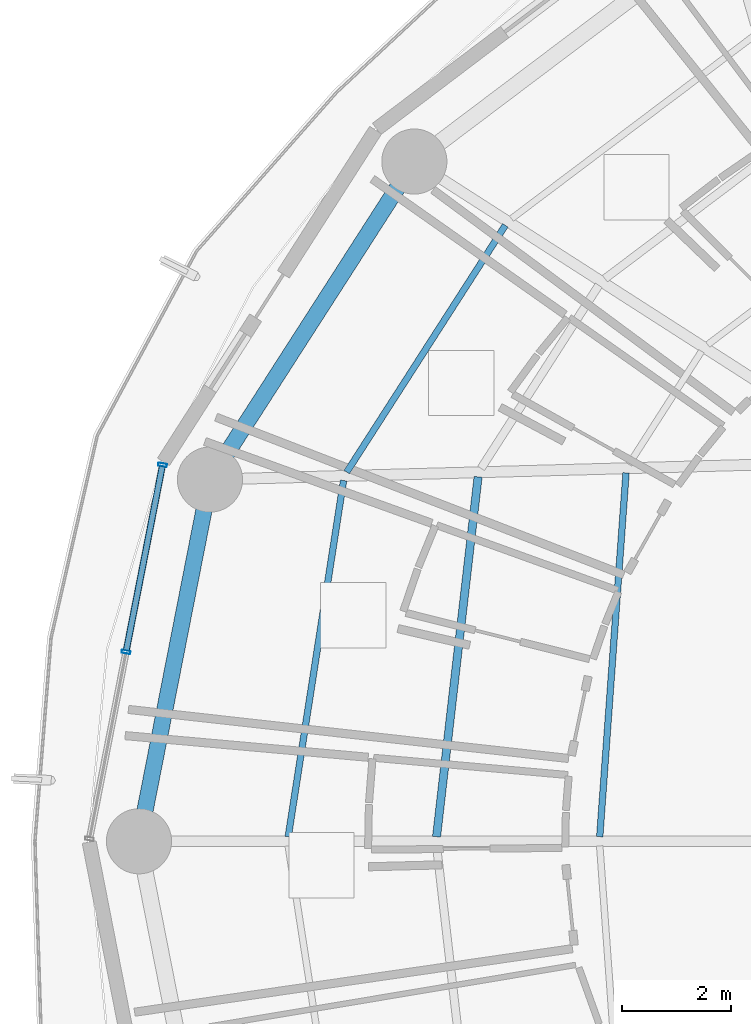
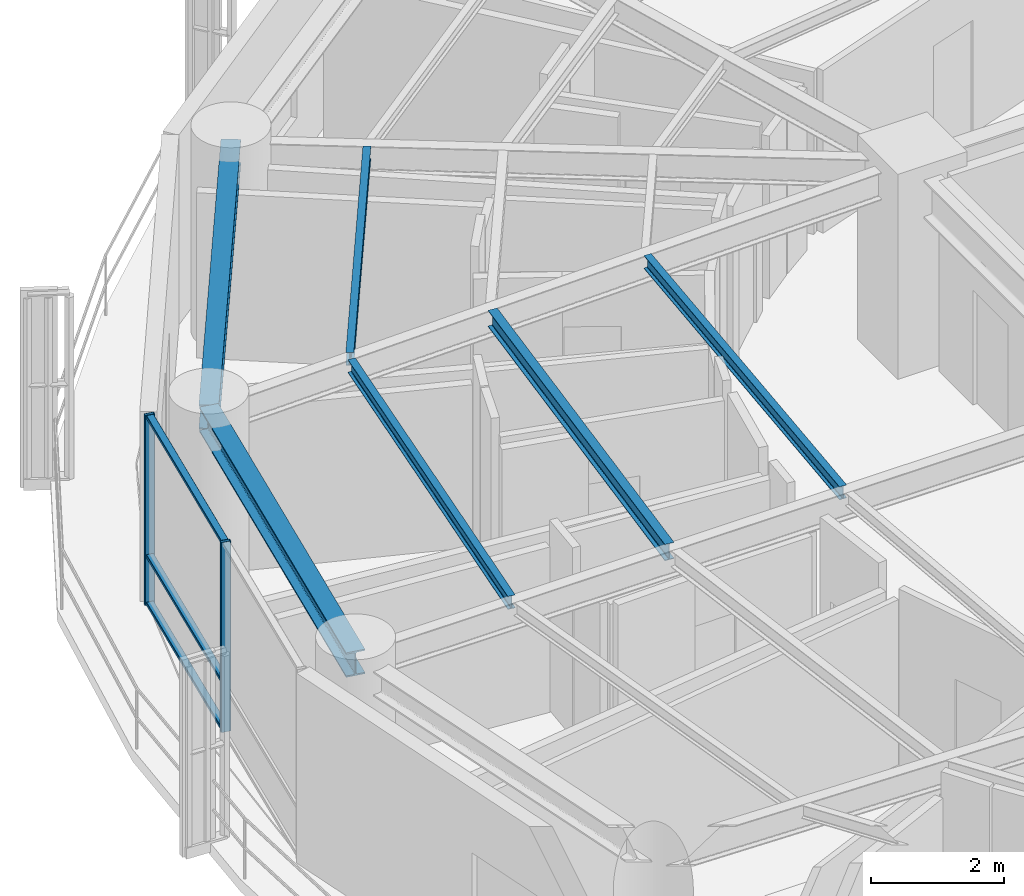
# One storey, part 8 of 27: 6 beams, 5 members, 1 element without a shape of its own.
"""IFC4 building model written with IfcOpenShell, lengths in metres."""

import ifcopenshell
import ifcopenshell.guid

model = None  # the IFC model being written
_history = None  # IfcOwnerHistory: only IFC2X3 demands one
_inside = {}  # id of a spatial element -> (the spatial element, [elements in it])
_under = {}  # id of a project, library or spatial element -> (it, [spatial elements below it])
_declared = {}  # id of a project -> (the project, [libraries it declares])
_typed = {}  # id of a type object -> (the type object, [elements of that type])
_made_of = {}  # id of a material, layer set ... -> (it, [elements and type objects made of it])


def new_model(schema):
    """Start an empty IFC model of exactly this schema.

    Asked for "IFC4X3", IfcOpenShell would pick the latest addendum, in which some entities
    have other attributes; the version numbers below select the first issue.
    IFC2X3 requires an IfcOwnerHistory on every rooted entity: one is made here for all.
    """
    global model, _history
    if schema == "IFC4X3":
        model = ifcopenshell.file(schema_version=(4, 3, 0, 0))
    else:
        model = ifcopenshell.file(schema=schema)
    _inside.clear()
    _under.clear()
    _declared.clear()
    _typed.clear()
    _made_of.clear()
    _history = None
    if model.schema == "IFC2X3":
        org = make("IfcOrganization", Name="unknown")
        user = make(
            "IfcPersonAndOrganization",
            ThePerson=make("IfcPerson", FamilyName="unknown"),
            TheOrganization=org,
        )
        app = make(
            "IfcApplication",
            ApplicationDeveloper=org,
            Version="unknown",
            ApplicationFullName="unknown",
            ApplicationIdentifier="unknown",
        )
        _history = make(
            "IfcOwnerHistory",
            OwningUser=user,
            OwningApplication=app,
            ChangeAction="ADDED",
            CreationDate=0,
        )
    return model


def make(cls, **values):
    """One entity of the class cls with the attributes given. An attribute that is None is left unset."""
    return model.create_entity(
        cls, **{name: value for name, value in values.items() if value is not None}
    )


def rooted(cls, **values):
    """An entity with a GlobalId (a new one), such as an element, a storey or a relation."""
    return make(cls, GlobalId=ifcopenshell.guid.new(), OwnerHistory=_history, **values)


def si_unit(unit_type, name, prefix=None):
    """IfcSIUnit, for example si_unit("LENGTHUNIT", "METRE", prefix="MILLI")."""
    return make("IfcSIUnit", UnitType=unit_type, Prefix=prefix, Name=name)


def assignment(units):
    """IfcUnitAssignment: the units of a project."""
    return None if units is None else make("IfcUnitAssignment", Units=units)


def point(xyz):
    """IfcCartesianPoint."""
    return None if xyz is None else make("IfcCartesianPoint", Coordinates=xyz)


def direction(xyz):
    """IfcDirection."""
    return None if xyz is None else make("IfcDirection", DirectionRatios=xyz)


def frame(location, z_axis=None, x_axis=None):
    """IfcAxis2Placement3D, a coordinate frame: its origin and axes. An axis left out is left unset."""
    return make(
        "IfcAxis2Placement3D",
        Location=point(location),
        Axis=direction(z_axis),
        RefDirection=direction(x_axis),
    )


def frame_2d(location, x_axis=None):
    """IfcAxis2Placement2D, a coordinate frame in the plane: its origin and x axis."""
    return make(
        "IfcAxis2Placement2D", Location=point(location), RefDirection=direction(x_axis)
    )


def origin():
    """The frame at (0, 0, 0) with its axes left unset."""
    return frame((0.0, 0.0, 0.0))


def origin_2d():
    """The frame at (0, 0) in the plane with its x axis left unset."""
    return frame_2d((0.0, 0.0))


def place(relative_to, where):
    """IfcLocalPlacement: puts the frame where relative to a parent placement (None: the world)."""
    return make(
        "IfcLocalPlacement", PlacementRelTo=relative_to, RelativePlacement=where
    )


def context(
    kind, dimensions, precision=None, world=None, true_north=None, identifier=None
):
    """IfcGeometricRepresentationContext, for example the 3D "Model" context."""
    return make(
        "IfcGeometricRepresentationContext",
        ContextIdentifier=identifier,
        ContextType=kind,
        CoordinateSpaceDimension=dimensions,
        Precision=precision,
        WorldCoordinateSystem=world,
        TrueNorth=true_north,
    )


def subcontext(parent, identifier, kind, view, scale=None):
    """IfcGeometricRepresentationSubContext, for example "Body" below "Model"."""
    return make(
        "IfcGeometricRepresentationSubContext",
        ContextIdentifier=identifier,
        ContextType=kind,
        ParentContext=parent,
        TargetScale=scale,
        TargetView=view,
    )


def project(units=None, contexts=None):
    """IfcProject with its units and contexts."""
    return rooted(
        "IfcProject",
        Name="project",
        RepresentationContexts=contexts,
        UnitsInContext=assignment(units),
    )


def spatial(cls, under=None, at=None, **own):
    """A site, building, storey or space (cls), placed at a placement, below another one or the project."""
    s = rooted(cls, ObjectPlacement=at, **own)
    if under is not None:
        _under.setdefault(under.id(), (under, []))[1].append(s)
    return s


def profile(cls, at=None, kind="AREA", **sizes):
    """A parametric profile (cls). Its sizes go by their IFC names, for example OverallWidth=200.0."""
    return make(cls, ProfileType=kind, Position=at, **sizes)


def hollow_rectangle(**sizes):
    """IfcRectangleHollowProfileDef."""
    return profile("IfcRectangleHollowProfileDef", **sizes)


def i_section(**sizes):
    """IfcIShapeProfileDef."""
    return profile("IfcIShapeProfileDef", **sizes)


def extrude(swept, where, along, depth):
    """IfcExtrudedAreaSolid: the profile swept, set in the frame where, extruded along a direction by depth."""
    return make(
        "IfcExtrudedAreaSolid",
        SweptArea=swept,
        Position=where,
        ExtrudedDirection=direction(along),
        Depth=depth,
    )


def shape(context_of_items, identifier, shape_type, items):
    """IfcShapeRepresentation: the items that make up one representation, for example the "Body"."""
    return make(
        "IfcShapeRepresentation",
        ContextOfItems=context_of_items,
        RepresentationIdentifier=identifier,
        RepresentationType=shape_type,
        Items=items,
    )


def material(Name=None, Category=None):
    """IfcMaterial."""
    return make("IfcMaterial", Name=Name, Category=Category)


def layer(
    of_material, thickness, ventilated=None, Name=None, Category=None, Priority=None
):
    """IfcMaterialLayer: one layer of a wall or slab, of a material (None: an air gap)."""
    return make(
        "IfcMaterialLayer",
        Material=of_material,
        LayerThickness=thickness,
        IsVentilated=ventilated,
        Name=Name,
        Category=Category,
        Priority=Priority,
    )


def layer_set(layers, Name=None):
    """IfcMaterialLayerSet."""
    return make("IfcMaterialLayerSet", MaterialLayers=layers, LayerSetName=Name)


def material_profile(
    of_material, cross_section, Name=None, Category=None, Priority=None
):
    """IfcMaterialProfile: a cross section and its material."""
    return make(
        "IfcMaterialProfile",
        Name=Name,
        Material=of_material,
        Profile=cross_section,
        Priority=Priority,
        Category=Category,
    )


def profile_set(profiles, Name=None, composite=None):
    """IfcMaterialProfileSet."""
    return make(
        "IfcMaterialProfileSet",
        Name=Name,
        MaterialProfiles=profiles,
        CompositeProfile=composite,
    )


def made_of(thing, what):
    """Note that an element or type object is made of a material, layer set ...; save() writes the relation."""
    if what is not None:
        _made_of.setdefault(what.id(), (what, []))[1].append(thing)
    return thing


def type_object(cls, material=None, **own):
    """A type object (cls), such as IfcWallType, which elements share."""
    return made_of(rooted(cls, **own), material)


def element(
    cls,
    number,
    at=None,
    inside=None,
    cuts=None,
    type_object=None,
    material=None,
    context=None,
    identifier="Body",
    shape_type=None,
    held_by="IfcProductDefinitionShape",
    body=None,
    shapes=None,
    **own,
):
    """One element of the class cls, such as IfcWall. Its Tag is "e" and its number.

    at: its placement. inside: the storey or other place that contains it. cuts: it is an
    opening in that element (IfcRelVoidsElement). A single representation is given by context,
    identifier, shape_type and body (its items); several are given by shapes. held_by: the class
    of the entity that holds the representations. save() writes the other relations.
    """
    e = rooted(cls, Tag="e%d" % number, ObjectPlacement=at, **own)
    if body is not None:
        shapes = [shape(context, identifier, shape_type, body)]
    if shapes is not None:
        e.Representation = make(held_by, Representations=shapes)
    if inside is not None:
        _inside.setdefault(inside.id(), (inside, []))[1].append(e)
    if cuts is not None:
        rooted(
            "IfcRelVoidsElement", RelatingBuildingElement=cuts, RelatedOpeningElement=e
        )
    if type_object is not None:
        _typed.setdefault(type_object.id(), (type_object, []))[1].append(e)
    return made_of(e, material)


def aggregate(whole, parts):
    """IfcRelAggregates: a whole, such as a stair, and the parts it consists of."""
    return rooted("IfcRelAggregates", RelatingObject=whole, RelatedObjects=parts)


def save(model, path):
    """Write the relations noted so far, then the file.

    IfcRelAggregates (storeys below a building ...), IfcRelContainedInSpatialStructure (elements
    in a storey), IfcRelDefinesByType, IfcRelAssociatesMaterial and IfcRelDeclares: one each for
    every whole, place, type object, material and project.
    """
    for whole, parts in _under.values():
        aggregate(whole, parts)
    for where, things in _inside.values():
        rooted(
            "IfcRelContainedInSpatialStructure",
            RelatedElements=things,
            RelatingStructure=where,
        )
    for kind, things in _typed.values():
        rooted("IfcRelDefinesByType", RelatedObjects=things, RelatingType=kind)
    for what, things in _made_of.values():
        rooted("IfcRelAssociatesMaterial", RelatedObjects=things, RelatingMaterial=what)
    for by, libraries in _declared.values():
        rooted("IfcRelDeclares", RelatingContext=by, RelatedDefinitions=libraries)
    model.write(path)


model = new_model("IFC4")

# Units and contexts
model_context = context("Model", 3, precision=1e-05, world=origin(), true_north=direction((0.0, 1.0)))
body_context = subcontext(model_context, "Body", "Model", "MODEL_VIEW")
ifc_project = project(units=[si_unit("LENGTHUNIT", "METRE"), si_unit("AREAUNIT", "SQUARE_METRE"), si_unit("VOLUMEUNIT", "CUBIC_METRE"), si_unit("PLANEANGLEUNIT", "RADIAN"), si_unit("MASSUNIT", "GRAM", prefix="KILO")], contexts=[model_context])

# Site, building, storey
site_placement = place(None, origin())
site = spatial("IfcSite", under=ifc_project, at=site_placement, CompositionType="ELEMENT")
building_placement = place(site_placement, origin())
building = spatial("IfcBuilding", under=site, at=building_placement, Name="Kelanora Arch Commons", CompositionType="ELEMENT")
storey_placement = place(building_placement, frame((0.0, 0.0, 173.10009765625)))
storey = spatial("IfcBuildingStorey", under=building, at=storey_placement, Name="L44", CompositionType="ELEMENT", Elevation=173.10009765625)

# Beams
ifc_material_1 = material(Name="Steel S355", Category="steel")
ifc_material_profile_1 = material_profile(ifc_material_1, i_section(OverallWidth=0.14990234375, OverallDepth=0.300048828125, WebThickness=0.007080078125, FlangeThickness=0.0107421875, FilletRadius=0.014892578125, at=origin_2d()), Name="IPE300")
ifc_profile_set_1 = profile_set([ifc_material_profile_1], Name="Steel S355")
beam_type_1 = type_object("IfcBeamType", Name="BM-JST-01", PredefinedType="JOIST", material=ifc_profile_set_1)
beam_1_placement = place(storey_placement, frame((58.56689453125, 64.713134765625, 3.33984375), z_axis=(-0.114667159005, -0.9934039675, 0.0), x_axis=(0.9934039675, -0.114667159005, 0.0)))
element("IfcBeam", 1, at=beam_1_placement, inside=storey, type_object=beam_type_1, Name="Secondary Chord Joist BJB-16 L44", PredefinedType="JOIST", context=body_context, shape_type="SweptSolid", body=[
    extrude(i_section(OverallWidth=0.14990234375, OverallDepth=0.300048828125, WebThickness=0.007080078125, FlangeThickness=0.0107421875, FilletRadius=0.014892578125, at=origin_2d()), origin(), (0.0, 0.0, 1.0), 6.672607421875),
])
ifc_material_profile_2 = material_profile(ifc_material_1, i_section(OverallWidth=0.1201171875, OverallDepth=0.239990234375, WebThickness=0.006103515625, FlangeThickness=0.009765625, FilletRadius=0.014892578125, at=origin_2d()), Name="IPE240")
ifc_profile_set_2 = profile_set([ifc_material_profile_2], Name="Steel S355")
beam_type_2 = type_object("IfcBeamType", Name="BM-JST-02", PredefinedType="JOIST", material=ifc_profile_set_2)
beam_2_placement = place(storey_placement, frame((59.06787109375, 69.345703125, 3.369873046875), z_axis=(-0.540581678156, -0.841291536414, 0.0), x_axis=(0.841291536414, -0.540581678156, 0.0)))
element("IfcBeam", 2, at=beam_2_placement, inside=storey, type_object=beam_type_2, Name="Secondary Chord Joist BJC-14 L44", PredefinedType="JOIST", context=body_context, shape_type="SweptSolid", body=[
    extrude(i_section(OverallWidth=0.1201171875, OverallDepth=0.239990234375, WebThickness=0.006103515625, FlangeThickness=0.009765625, FilletRadius=0.014892578125, at=origin_2d()), origin(), (0.0, 0.0, 1.0), 5.4013671875),
])
beam_3_placement = place(storey_placement, frame((61.292236328125, 64.787109375, 3.369873046875), z_axis=(-0.072117123738, -0.997396170267, 0.0), x_axis=(0.997396170267, -0.072117123738, 0.0)))
element("IfcBeam", 3, at=beam_3_placement, inside=storey, type_object=beam_type_2, Name="Secondary Chord Joist BJA-16 L44", PredefinedType="JOIST", context=body_context, shape_type="SweptSolid", body=[
    extrude(i_section(OverallWidth=0.1201171875, OverallDepth=0.239990234375, WebThickness=0.006103515625, FlangeThickness=0.009765625, FilletRadius=0.014892578125, at=origin_2d()), origin(), (0.0, 0.0, 1.0), 6.719970703125),
])
beam_4_placement = place(storey_placement, frame((56.0888671875, 64.64599609375, 3.369873046875), z_axis=(-0.153562625853, -0.988138917329, 0.0), x_axis=(0.988138917329, -0.153562625853, 0.0)))
element("IfcBeam", 4, at=beam_4_placement, inside=storey, type_object=beam_type_2, Name="Secondary Chord Joist BJC-16 L44", PredefinedType="JOIST", context=body_context, shape_type="SweptSolid", body=[
    extrude(i_section(OverallWidth=0.1201171875, OverallDepth=0.239990234375, WebThickness=0.006103515625, FlangeThickness=0.009765625, FilletRadius=0.014892578125, at=origin_2d()), origin(), (0.0, 0.0, 1.0), 6.640869140625),
])
ifc_material_profile_3 = material_profile(ifc_material_1, i_section(OverallWidth=0.300048828125, OverallDepth=0.449951171875, WebThickness=0.013916015625, FlangeThickness=0.02587890625, FilletRadius=0.027099609375, at=origin_2d()), Name="HEB450")
ifc_profile_set_3 = profile_set([ifc_material_profile_3], Name="Steel S355")
beam_type_3 = type_object("IfcBeamType", Name="BM-SPN-Z3", PredefinedType="SPANDREL", material=ifc_profile_set_3)
beam_5_placement = place(storey_placement, frame((57.39208984375, 70.521484375, 3.264892578125), z_axis=(-0.540576852469, -0.841294637196, 0.0), x_axis=(0.841294637196, -0.540576852469, 0.0)))
element("IfcBeam", 5, at=beam_5_placement, inside=storey, type_object=beam_type_3, Name="Perimeter Spandrel Beam BS-14 L44", PredefinedType="SPANDREL", context=body_context, shape_type="SweptSolid", body=[
    extrude(i_section(OverallWidth=0.300048828125, OverallDepth=0.449951171875, WebThickness=0.013916015625, FlangeThickness=0.02587890625, FilletRadius=0.027099609375, at=origin_2d()), origin(), (0.0, 0.0, 1.0), 6.964111328125),
])
beam_6_placement = place(storey_placement, frame((53.62744140625, 64.66259765625, 3.264892578125), z_axis=(-0.192553643556, -0.981286448675, 0.0), x_axis=(0.981286448675, -0.192553643556, 0.0)))
element("IfcBeam", 6, at=beam_6_placement, inside=storey, type_object=beam_type_3, Name="Perimeter Spandrel Beam BS-16 L44", PredefinedType="SPANDREL", context=body_context, shape_type="SweptSolid", body=[
    extrude(i_section(OverallWidth=0.300048828125, OverallDepth=0.449951171875, WebThickness=0.013916015625, FlangeThickness=0.02587890625, FilletRadius=0.027099609375, at=origin_2d()), origin(), (0.0, 0.0, 1.0), 6.78955078125),
])

# Curtain wall, members
ifc_material_2 = material(Name="Terracotta ceramic-fritted low-E glass and aluminium", Category="masonry")
ifc_layer = layer(ifc_material_2, 0.175048828125)
ifc_layer_set = layer_set([ifc_layer], Name="Terracotta ceramic-fritted low-E glass and aluminium")
curtain_wall_type = type_object("IfcCurtainWallType", Name="CW-SYS-02", PredefinedType="NOTDEFINED", material=ifc_layer_set)
curtain_wall_placement = place(storey_placement, origin())
curtain_wall = element("IfcCurtainWall", 7, at=curtain_wall_placement, inside=storey, type_object=curtain_wall_type, Name="Unitised Curtain Wall L44-B08", PredefinedType="NOTDEFINED")
ifc_material_3 = material(Name="Powder-coated aluminium terracotta", Category="masonry")
ifc_material_profile_4 = material_profile(ifc_material_3, hollow_rectangle(XDim=0.159912109375, YDim=0.06005859375, WallThickness=0.0048828125, InnerFilletRadius=0.0048828125, OuterFilletRadius=0.010009765625, at=origin_2d()), Name="CWM160x60")
ifc_profile_set_4 = profile_set([ifc_material_profile_4], Name="Powder-coated aluminium terracotta")
member_type_1 = type_object("IfcMemberType", Name="CWM-STD", PredefinedType="MULLION", material=ifc_profile_set_4)
member_1_placement = place(storey_placement, frame((52.754150390625, 64.93310546875, 0.0), z_axis=(0.0, 0.0, 1.0), x_axis=(0.981452557718, -0.191705182375, 0.0)))
member_1 = element("IfcMember", 8, at=member_1_placement, type_object=member_type_1, Name="CW-02 mullion 1", PredefinedType="MULLION", context=body_context, shape_type="SweptSolid", body=[
    extrude(hollow_rectangle(XDim=0.159912109375, YDim=0.06005859375, WallThickness=0.0048828125, InnerFilletRadius=0.0048828125, OuterFilletRadius=0.010009765625, at=origin_2d()), origin(), (0.0, 0.0, 1.0), 3.474853515625),
])
member_2_placement = place(storey_placement, frame((52.08154296875, 61.488525390625, 0.0), z_axis=(0.0, 0.0, 1.0), x_axis=(0.981452557718, -0.191705182375, 0.0)))
member_2 = element("IfcMember", 9, at=member_2_placement, type_object=member_type_1, Name="CW-02 mullion 2", PredefinedType="MULLION", context=body_context, shape_type="SweptSolid", body=[
    extrude(hollow_rectangle(XDim=0.159912109375, YDim=0.06005859375, WallThickness=0.0048828125, InnerFilletRadius=0.0048828125, OuterFilletRadius=0.010009765625, at=origin_2d()), origin(), (0.0, 0.0, 1.0), 3.474853515625),
])
ifc_material_profile_5 = material_profile(ifc_material_3, hollow_rectangle(XDim=0.1201171875, YDim=0.06005859375, WallThickness=0.0048828125, InnerFilletRadius=0.0048828125, OuterFilletRadius=0.010009765625, at=origin_2d()), Name="CWT120x60")
ifc_profile_set_5 = profile_set([ifc_material_profile_5], Name="Powder-coated aluminium terracotta")
member_type_2 = type_object("IfcMemberType", Name="CWT-STD", PredefinedType="USERDEFINED", material=ifc_profile_set_5)
member_3_placement = place(storey_placement, frame((52.74853515625, 64.903564453125, 0.02978515625), z_axis=(-0.191731523726, -0.981447412147, 0.0), x_axis=(0.981447412147, -0.191731523726, 0.0)))
member_3 = element("IfcMember", 10, at=member_3_placement, type_object=member_type_2, Name="CW-02 transom 1.1", ObjectType="TRANSOM", PredefinedType="USERDEFINED", context=body_context, shape_type="SweptSolid", body=[
    extrude(hollow_rectangle(XDim=0.1201171875, YDim=0.06005859375, WallThickness=0.0048828125, InnerFilletRadius=0.0048828125, OuterFilletRadius=0.010009765625, at=origin_2d()), origin(), (0.0, 0.0, 1.0), 3.449462890625),
])
member_4_placement = place(storey_placement, frame((52.74853515625, 64.903564453125, 0.89990234375), z_axis=(-0.191731523726, -0.981447412147, 0.0), x_axis=(0.981447412147, -0.191731523726, 0.0)))
member_4 = element("IfcMember", 11, at=member_4_placement, type_object=member_type_2, Name="CW-02 transom 1.2", ObjectType="TRANSOM", PredefinedType="USERDEFINED", context=body_context, shape_type="SweptSolid", body=[
    extrude(hollow_rectangle(XDim=0.1201171875, YDim=0.06005859375, WallThickness=0.0048828125, InnerFilletRadius=0.0048828125, OuterFilletRadius=0.010009765625, at=origin_2d()), origin(), (0.0, 0.0, 1.0), 3.449462890625),
])
member_5_placement = place(storey_placement, frame((52.74853515625, 64.903564453125, 3.44482421875), z_axis=(-0.191731523726, -0.981447412147, 0.0), x_axis=(0.981447412147, -0.191731523726, 0.0)))
member_5 = element("IfcMember", 12, at=member_5_placement, type_object=member_type_2, Name="CW-02 transom 1.3", ObjectType="TRANSOM", PredefinedType="USERDEFINED", context=body_context, shape_type="SweptSolid", body=[
    extrude(hollow_rectangle(XDim=0.1201171875, YDim=0.06005859375, WallThickness=0.0048828125, InnerFilletRadius=0.0048828125, OuterFilletRadius=0.010009765625, at=origin_2d()), origin(), (0.0, 0.0, 1.0), 3.449462890625),
])
aggregate(curtain_wall, [member_1, member_2, member_3, member_4, member_5])

save(model, "model.ifc")
